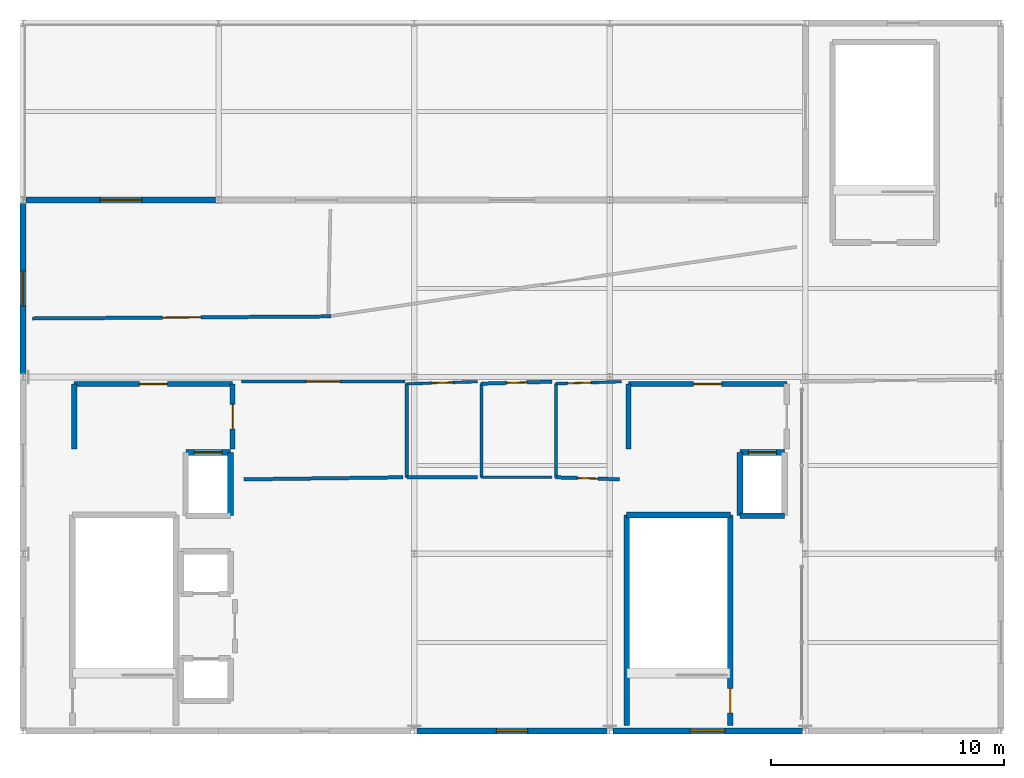
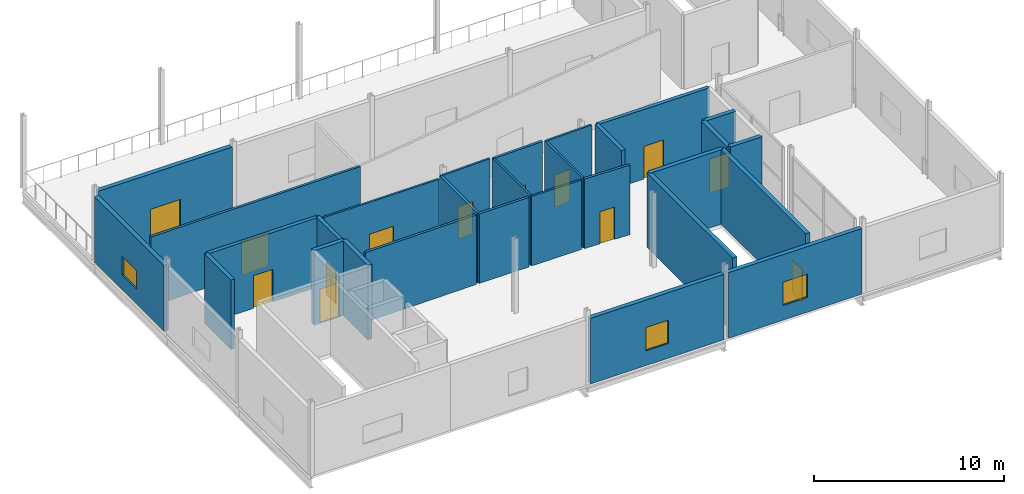
# One storey, part 6 of 8: 29 walls, 13 doors, 3 windows, 16 openings.
"""IFC4 building model written with IfcOpenShell, lengths in metres."""

from ifc_helpers import new_model, si_unit, direction, frame, frame_2d, origin, place, context, subcontext, project, spatial, rectangle, extrude, material, layer, layer_set, type_object, element, fill, save


model = new_model("IFC4")

# Units and contexts
model_context = context("Model", 3, precision=1e-05, world=origin(), true_north=direction((0.0, 1.0)))
body_context = subcontext(model_context, "Body", "Model", "MODEL_VIEW")
ifc_project = project(units=[si_unit("LENGTHUNIT", "METRE"), si_unit("AREAUNIT", "SQUARE_METRE"), si_unit("VOLUMEUNIT", "CUBIC_METRE"), si_unit("PLANEANGLEUNIT", "RADIAN"), si_unit("MASSUNIT", "GRAM", prefix="KILO")], contexts=[model_context])

# Site, building, storey
site_placement = place(None, origin())
site = spatial("IfcSite", under=ifc_project, at=site_placement, CompositionType="ELEMENT")
building_placement = place(site_placement, origin())
building = spatial("IfcBuilding", under=site, at=building_placement, Name="Zuvorla Pavilion Media Centre", CompositionType="ELEMENT")
storey_placement = place(building_placement, frame((0.0, 0.0, 26.39990234375)))
storey = spatial("IfcBuildingStorey", under=building, at=storey_placement, Name="L06", CompositionType="ELEMENT", Elevation=26.39990234375)

# Wall, opening, door
ifc_material_1 = material(Name="Acoustic masonry blockwork C32/40", Category="masonry")
ifc_layer_1 = layer(ifc_material_1, 0.219970703125)
ifc_layer_set_1 = layer_set([ifc_layer_1], Name="Acoustic masonry blockwork C32/40")
wall_type_1 = type_object("IfcWallType", Name="WL-CMP-220", PredefinedType="SOLIDWALL", material=ifc_layer_set_1)
wall_1_placement = place(storey_placement, frame((69.0, 20.89990234375, 0.0), z_axis=(0.0, 0.0, 1.0), x_axis=(1.0, 0.0, 0.0)))
wall_1 = element("IfcWall", 1, at=wall_1_placement, inside=storey, type_object=wall_type_1, Name="L06 solid wall IW22 57", PredefinedType="SOLIDWALL", context=body_context, shape_type="SweptSolid", body=[
    extrude(rectangle(XDim=6.800048828125, YDim=0.219970703125, at=frame_2d((3.39990234375, 0.0))), origin(), (0.0, 0.0, 1.0), 4.47998046875),
])
opening_1_placement = place(wall_1_placement, frame((2.800048828125, 0.0, 0.0)))
opening_1 = element("IfcOpeningElement", 2, at=opening_1_placement, cuts=wall_1, Name="Opening FD06", PredefinedType="OPENING", context=body_context, shape_type="SweptSolid", body=[
    extrude(rectangle(XDim=1.199951171875, YDim=2.10009765625, at=frame_2d((0.60009765625, 1.050048828125))), frame((0.0, 0.119873046875, 0.0), z_axis=(0.0, -1.0, 0.0), x_axis=(1.0, 0.0, 0.0)), (0.0, 0.0, 1.0), 0.239990234375),
])
ifc_material_2 = material(Name="Acoustic timber fire door leaf in steel frame", Category="steel")
door_type_1 = type_object("IfcDoorType", Name="DR-INT-FD06", OperationType="NOTDEFINED", PredefinedType="DOOR", material=ifc_material_2)
door_1_placement = place(opening_1_placement, origin())
door_1 = element("IfcDoor", 3, at=door_1_placement, inside=storey, type_object=door_type_1, Name="Firefighting lobby 1 door FD06 30", OperationType="SINGLE_SWING_LEFT", OverallHeight=2.10009765625, OverallWidth=1.199951171875, PredefinedType="DOOR", context=body_context, shape_type="SweptSolid", body=[
    extrude(rectangle(XDim=1.199951171875, YDim=2.10009765625, at=frame_2d((0.60009765625, 1.050048828125))), frame((0.0, 0.02490234375, 0.0), z_axis=(0.0, -1.0, 0.0), x_axis=(1.0, 0.0, 0.0)), (0.0, 0.0, 1.0), 0.050048828125),
])
fill(opening_1, door_1)

# Wall
wall_2_placement = place(storey_placement, frame((69.0, 18.10009765625, 0.0), z_axis=(0.0, 0.0, 1.0), x_axis=(0.0, 1.0, 0.0)))
element("IfcWall", 4, at=wall_2_placement, inside=storey, type_object=wall_type_1, Name="L06 solid wall IW22 58", PredefinedType="SOLIDWALL", context=body_context, shape_type="SweptSolid", body=[
    extrude(rectangle(XDim=2.7998046875, YDim=0.219970703125, at=frame_2d((1.39990234375, 0.0))), origin(), (0.0, 0.0, 1.0), 4.47998046875),
])

# Wall, opening, door
wall_3_placement = place(storey_placement, frame((75.800048828125, 18.10009765625, 0.0), z_axis=(0.0, 0.0, 1.0), x_axis=(0.0, 1.0, 0.0)))
wall_3 = element("IfcWall", 5, at=wall_3_placement, inside=storey, type_object=wall_type_1, Name="L06 solid wall IW22 59", PredefinedType="SOLIDWALL", context=body_context, shape_type="SweptSolid", body=[
    extrude(rectangle(XDim=2.7998046875, YDim=0.219970703125, at=frame_2d((1.39990234375, 0.0))), origin(), (0.0, 0.0, 1.0), 4.47998046875),
])
opening_2_placement = place(wall_3_placement, frame((0.875, 0.0, 0.0)))
opening_2 = element("IfcOpeningElement", 6, at=opening_2_placement, cuts=wall_3, Name="Opening FD04", PredefinedType="OPENING", context=body_context, shape_type="SweptSolid", body=[
    extrude(rectangle(XDim=1.050048828125, YDim=2.10009765625, at=frame_2d((0.52490234375, 1.050048828125))), frame((0.0, 0.119873046875, 0.0), z_axis=(0.0, -1.0, 0.0), x_axis=(1.0, 0.0, 0.0)), (0.0, 0.0, 1.0), 0.239990234375),
])
door_type_2 = type_object("IfcDoorType", Name="DR-INT-FD04", OperationType="NOTDEFINED", PredefinedType="DOOR", material=ifc_material_2)
door_2_placement = place(opening_2_placement, origin())
door_2 = element("IfcDoor", 7, at=door_2_placement, inside=storey, type_object=door_type_2, Name="Firefighting lobby 1 access door FD04 31", OperationType="SINGLE_SWING_LEFT", OverallHeight=2.10009765625, OverallWidth=1.050048828125, PredefinedType="DOOR", context=body_context, shape_type="SweptSolid", body=[
    extrude(rectangle(XDim=1.050048828125, YDim=2.10009765625, at=frame_2d((0.52490234375, 1.050048828125))), frame((0.0, 0.02490234375, 0.0), z_axis=(0.0, -1.0, 0.0), x_axis=(1.0, 0.0, 0.0)), (0.0, 0.0, 1.0), 0.050048828125),
])
fill(opening_2, door_2)

wall_4_placement = place(storey_placement, frame((92.800048828125, 20.89990234375, 0.0), z_axis=(0.0, 0.0, 1.0), x_axis=(1.0, 0.0, 0.0)))
wall_4 = element("IfcWall", 8, at=wall_4_placement, inside=storey, type_object=wall_type_1, Name="L06 solid wall IW22 202", PredefinedType="SOLIDWALL", context=body_context, shape_type="SweptSolid", body=[
    extrude(rectangle(XDim=6.800048828125, YDim=0.219970703125, at=frame_2d((3.39990234375, 0.0))), origin(), (0.0, 0.0, 1.0), 4.47998046875),
])
opening_3_placement = place(wall_4_placement, frame((2.800048828125, 0.0, 0.0)))
opening_3 = element("IfcOpeningElement", 9, at=opening_3_placement, cuts=wall_4, Name="Opening FD06", PredefinedType="OPENING", context=body_context, shape_type="SweptSolid", body=[
    extrude(rectangle(XDim=1.199951171875, YDim=2.10009765625, at=frame_2d((0.60009765625, 1.050048828125))), frame((0.0, 0.119873046875, 0.0), z_axis=(0.0, -1.0, 0.0), x_axis=(1.0, 0.0, 0.0)), (0.0, 0.0, 1.0), 0.239990234375),
])
door_3_placement = place(opening_3_placement, origin())
door_3 = element("IfcDoor", 10, at=door_3_placement, inside=storey, type_object=door_type_1, Name="Firefighting lobby 2 door FD06 79", OperationType="SINGLE_SWING_LEFT", OverallHeight=2.10009765625, OverallWidth=1.199951171875, PredefinedType="DOOR", context=body_context, shape_type="SweptSolid", body=[
    extrude(rectangle(XDim=1.199951171875, YDim=2.10009765625, at=frame_2d((0.60009765625, 1.050048828125))), frame((0.0, 0.02490234375, 0.0), z_axis=(0.0, -1.0, 0.0), x_axis=(1.0, 0.0, 0.0)), (0.0, 0.0, 1.0), 0.050048828125),
])
fill(opening_3, door_3)

# Wall
wall_5_placement = place(storey_placement, frame((92.800048828125, 18.10009765625, 0.0), z_axis=(0.0, 0.0, 1.0), x_axis=(0.0, 1.0, 0.0)))
element("IfcWall", 11, at=wall_5_placement, inside=storey, type_object=wall_type_1, Name="L06 solid wall IW22 203", PredefinedType="SOLIDWALL", context=body_context, shape_type="SweptSolid", body=[
    extrude(rectangle(XDim=2.7998046875, YDim=0.219970703125, at=frame_2d((1.39990234375, 0.0))), origin(), (0.0, 0.0, 1.0), 4.47998046875),
])

# Wall, opening, door
ifc_material_3 = material(Name="Concrete C40/50", Category="concrete")
ifc_layer_2 = layer(ifc_material_3, 0.25)
ifc_layer_set_2 = layer_set([ifc_layer_2], Name="Concrete C40/50")
wall_type_2 = type_object("IfcWallType", Name="WL-COR-250", PredefinedType="SHEAR", material=ifc_layer_set_2)
wall_6_placement = place(storey_placement, frame((73.7900390625, 17.9599609375, 0.0), z_axis=(0.0, 0.0, 1.0), x_axis=(1.0, 0.0, 0.0)))
wall_6 = element("IfcWall", 12, at=wall_6_placement, inside=storey, type_object=wall_type_2, Name="L06 shear wall CW25 154", PredefinedType="SHEAR", context=body_context, shape_type="SweptSolid", body=[
    extrude(rectangle(XDim=1.919921875, YDim=0.25, at=frame_2d((0.9599609375, 0.0))), origin(), (0.0, 0.0, 1.0), 4.800048828125),
])
opening_4_placement = place(wall_6_placement, frame((0.360107421875, 0.0, 0.0)))
opening_4 = element("IfcOpeningElement", 13, at=opening_4_placement, cuts=wall_6, Name="Opening LD02", PredefinedType="OPENING", context=body_context, shape_type="SweptSolid", body=[
    extrude(rectangle(XDim=1.199951171875, YDim=2.199951171875, at=frame_2d((0.60009765625, 1.10009765625))), frame((0.0, 0.135009765625, 0.0), z_axis=(0.0, -1.0, 0.0), x_axis=(1.0, 0.0, 0.0)), (0.0, 0.0, 1.0), 0.27001953125),
])
ifc_material_4 = material(Name="Brushed stainless steel sliding lift landing door", Category="steel")
door_type_3 = type_object("IfcDoorType", Name="DR-LFT-LD02", OperationType="SLIDING_TO_LEFT", PredefinedType="DOOR", material=ifc_material_4)
door_4_placement = place(opening_4_placement, origin())
door_4 = element("IfcDoor", 14, at=door_4_placement, inside=storey, type_object=door_type_3, Name="Lift LF-03 landing door LD02 56", OperationType="SLIDING_TO_LEFT", OverallHeight=2.199951171875, OverallWidth=1.199951171875, PredefinedType="DOOR", context=body_context, shape_type="SweptSolid", body=[
    extrude(rectangle(XDim=1.199951171875, YDim=2.199951171875, at=frame_2d((0.60009765625, 1.10009765625))), frame((0.0, 0.02490234375, 0.0), z_axis=(0.0, -1.0, 0.0), x_axis=(1.0, 0.0, 0.0)), (0.0, 0.0, 1.0), 0.050048828125),
])
fill(opening_4, door_4)

# Walls
wall_7_placement = place(storey_placement, frame((75.7099609375, 15.239990234375, 0.0), z_axis=(0.0, 0.0, 1.0), x_axis=(0.0, 1.0, 0.0)))
element("IfcWall", 15, at=wall_7_placement, inside=storey, type_object=wall_type_2, Name="L06 shear wall CW25 156", PredefinedType="SHEAR", context=body_context, shape_type="SweptSolid", body=[
    extrude(rectangle(XDim=2.719970703125, YDim=0.25, at=frame_2d((1.35986328125, 0.0))), origin(), (0.0, 0.0, 1.0), 4.800048828125),
])
wall_8_placement = place(storey_placement, frame((92.72509765625, 6.22509765625, 0.0), z_axis=(0.0, 0.0, 1.0), x_axis=(0.0, 1.0, 0.0)))
element("IfcWall", 16, at=wall_8_placement, inside=storey, type_object=wall_type_2, Name="L06 shear wall CW25 199", PredefinedType="SHEAR", context=body_context, shape_type="SweptSolid", body=[
    extrude(rectangle(XDim=9.0498046875, YDim=0.25, at=frame_2d((4.52490234375, 0.0))), origin(), (0.0, 0.0, 1.0), 4.800048828125),
])

# Wall, opening, door
wall_9_placement = place(storey_placement, frame((97.175048828125, 6.22509765625, 0.0), z_axis=(0.0, 0.0, 1.0), x_axis=(0.0, 1.0, 0.0)))
wall_9 = element("IfcWall", 17, at=wall_9_placement, inside=storey, type_object=wall_type_2, Name="L06 shear wall CW25 200", PredefinedType="SHEAR", context=body_context, shape_type="SweptSolid", body=[
    extrude(rectangle(XDim=9.0498046875, YDim=0.25, at=frame_2d((4.52490234375, 0.0))), origin(), (0.0, 0.0, 1.0), 4.800048828125),
])
opening_5_placement = place(wall_9_placement, frame((0.550048828125, 0.0, 0.0)))
opening_5 = element("IfcOpeningElement", 18, at=opening_5_placement, cuts=wall_9, Name="Opening FD04", PredefinedType="OPENING", context=body_context, shape_type="SweptSolid", body=[
    extrude(rectangle(XDim=1.050048828125, YDim=2.10009765625, at=frame_2d((0.52490234375, 1.050048828125))), frame((0.0, 0.135009765625, 0.0), z_axis=(0.0, -1.0, 0.0), x_axis=(1.0, 0.0, 0.0)), (0.0, 0.0, 1.0), 0.27001953125),
])
door_5_placement = place(opening_5_placement, frame((1.050048828125, 0.0, 0.0), z_axis=(0.0, 0.0, 1.0), x_axis=(-1.0, 0.0, 0.0)))
door_5 = element("IfcDoor", 19, at=door_5_placement, inside=storey, type_object=door_type_2, Name="Stair ST-02 fire door FD04 78", OperationType="SINGLE_SWING_LEFT", OverallHeight=2.10009765625, OverallWidth=1.050048828125, PredefinedType="DOOR", context=body_context, shape_type="SweptSolid", body=[
    extrude(rectangle(XDim=1.050048828125, YDim=2.10009765625, at=frame_2d((0.52490234375, 1.050048828125))), frame((0.0, 0.02490234375, 0.0), z_axis=(0.0, -1.0, 0.0), x_axis=(1.0, 0.0, 0.0)), (0.0, 0.0, 1.0), 0.050048828125),
])
fill(opening_5, door_5)

# Walls
wall_10_placement = place(storey_placement, frame((92.72509765625, 15.27490234375, 0.0), z_axis=(0.0, 0.0, 1.0), x_axis=(1.0, 0.0, 0.0)))
element("IfcWall", 20, at=wall_10_placement, inside=storey, type_object=wall_type_2, Name="L06 shear wall CW25 201", PredefinedType="SHEAR", context=body_context, shape_type="SweptSolid", body=[
    extrude(rectangle(XDim=4.449951171875, YDim=0.25, at=frame_2d((2.22509765625, 0.0))), origin(), (0.0, 0.0, 1.0), 4.800048828125),
])
wall_11_placement = place(storey_placement, frame((97.590087890625, 15.239990234375, 0.0), z_axis=(0.0, 0.0, 1.0), x_axis=(1.0, 0.0, 0.0)))
element("IfcWall", 21, at=wall_11_placement, inside=storey, type_object=wall_type_2, Name="L06 shear wall CW25 233", PredefinedType="SHEAR", context=body_context, shape_type="SweptSolid", body=[
    extrude(rectangle(XDim=1.919921875, YDim=0.25, at=frame_2d((0.9599609375, 0.0))), origin(), (0.0, 0.0, 1.0), 4.800048828125),
])

# Wall, opening, door
wall_12_placement = place(storey_placement, frame((97.590087890625, 17.9599609375, 0.0), z_axis=(0.0, 0.0, 1.0), x_axis=(1.0, 0.0, 0.0)))
wall_12 = element("IfcWall", 22, at=wall_12_placement, inside=storey, type_object=wall_type_2, Name="L06 shear wall CW25 234", PredefinedType="SHEAR", context=body_context, shape_type="SweptSolid", body=[
    extrude(rectangle(XDim=1.919921875, YDim=0.25, at=frame_2d((0.9599609375, 0.0))), origin(), (0.0, 0.0, 1.0), 4.800048828125),
])
opening_6_placement = place(wall_12_placement, frame((0.360107421875, 0.0, 0.0)))
opening_6 = element("IfcOpeningElement", 23, at=opening_6_placement, cuts=wall_12, Name="Opening LD02", PredefinedType="OPENING", context=body_context, shape_type="SweptSolid", body=[
    extrude(rectangle(XDim=1.199951171875, YDim=2.199951171875, at=frame_2d((0.60009765625, 1.10009765625))), frame((0.0, 0.135009765625, 0.0), z_axis=(0.0, -1.0, 0.0), x_axis=(1.0, 0.0, 0.0)), (0.0, 0.0, 1.0), 0.27001953125),
])
door_6_placement = place(opening_6_placement, origin())
door_6 = element("IfcDoor", 24, at=door_6_placement, inside=storey, type_object=door_type_3, Name="Lift LF-04 landing door LD02 88", OperationType="SLIDING_TO_LEFT", OverallHeight=2.199951171875, OverallWidth=1.199951171875, PredefinedType="DOOR", context=body_context, shape_type="SweptSolid", body=[
    extrude(rectangle(XDim=1.199951171875, YDim=2.199951171875, at=frame_2d((0.60009765625, 1.10009765625))), frame((0.0, 0.02490234375, 0.0), z_axis=(0.0, -1.0, 0.0), x_axis=(1.0, 0.0, 0.0)), (0.0, 0.0, 1.0), 0.050048828125),
])
fill(opening_6, door_6)

# Wall
wall_13_placement = place(storey_placement, frame((97.590087890625, 15.239990234375, 0.0), z_axis=(0.0, 0.0, 1.0), x_axis=(0.0, 1.0, 0.0)))
element("IfcWall", 25, at=wall_13_placement, inside=storey, type_object=wall_type_2, Name="L06 shear wall CW25 235", PredefinedType="SHEAR", context=body_context, shape_type="SweptSolid", body=[
    extrude(rectangle(XDim=2.719970703125, YDim=0.25, at=frame_2d((1.35986328125, 0.0))), origin(), (0.0, 0.0, 1.0), 4.800048828125),
])

# Wall, opening, window
ifc_material_5 = material(Name="White rendered concrete C32/40", Category="concrete")
ifc_layer_3 = layer(ifc_material_5, 0.260009765625)
ifc_layer_set_3 = layer_set([ifc_layer_3], Name="White rendered concrete C32/40")
wall_type_3 = type_object("IfcWallType", Name="WL-EXT-260", PredefinedType="SOLIDWALL", material=ifc_layer_set_3)
wall_14_placement = place(storey_placement, frame((66.800048828125, 28.669921875, 0.0), z_axis=(0.0, 0.0, 1.0), x_axis=(0.0, -1.0, 0.0)))
wall_14 = element("IfcWall", 26, at=wall_14_placement, inside=storey, type_object=wall_type_3, Name="L06 exterior solid wall EW04 317", PredefinedType="SOLIDWALL", context=body_context, shape_type="SweptSolid", body=[
    extrude(rectangle(XDim=7.33984375, YDim=0.260009765625, at=frame_2d((3.669921875, 0.0))), origin(), (0.0, 0.0, 1.0), 4.226806640625),
])
opening_7_placement = place(wall_14_placement, frame((2.919921875, 0.0, 0.949951171875)))
opening_7 = element("IfcOpeningElement", 27, at=opening_7_placement, cuts=wall_14, Name="Opening WN25", PredefinedType="OPENING", context=body_context, shape_type="SweptSolid", body=[
    extrude(rectangle(XDim=1.5, YDim=1.199951171875, at=frame_2d((0.75, 0.60009765625))), frame((0.0, 0.139892578125, 0.0), z_axis=(0.0, -1.0, 0.0), x_axis=(1.0, 0.0, 0.0)), (0.0, 0.0, 1.0), 0.280029296875),
])
ifc_material_6 = material(Name="Anodised aluminium frame with solar double glazing", Category="aluminium")
window_type_1 = type_object("IfcWindowType", Name="WIN-WN25", PartitioningType="SINGLE_PANEL", PredefinedType="WINDOW", material=ifc_material_6)
window_1_placement = place(opening_7_placement, origin())
window_1 = element("IfcWindow", 28, at=window_1_placement, inside=storey, type_object=window_type_1, Name="L06 window WN25 137", OverallHeight=1.199951171875, OverallWidth=1.5, PartitioningType="SINGLE_PANEL", PredefinedType="WINDOW", context=body_context, shape_type="SweptSolid", body=[
    extrude(rectangle(XDim=1.5, YDim=1.199951171875, at=frame_2d((0.75, 0.60009765625))), frame((0.0, 0.030029296875, 0.0), z_axis=(0.0, -1.0, 0.0), x_axis=(1.0, 0.0, 0.0)), (0.0, 0.0, 1.0), 0.06005859375),
])
fill(opening_7, window_1)

wall_15_placement = place(storey_placement, frame((83.72802734375, 6.0, 0.0), z_axis=(0.0, 0.0, 1.0), x_axis=(1.0, 0.0, 0.0)))
wall_15 = element("IfcWall", 29, at=wall_15_placement, inside=storey, type_object=wall_type_3, Name="L06 exterior solid wall EW04 322", PredefinedType="SOLIDWALL", context=body_context, shape_type="SweptSolid", body=[
    extrude(rectangle(XDim=8.143798828125, YDim=0.260009765625, at=frame_2d((4.07177734375, 0.0))), origin(), (0.0, 0.0, 1.0), 4.226806640625),
])
opening_8_placement = place(wall_15_placement, frame((3.396728515625, 0.0, 0.949951171875)))
opening_8 = element("IfcOpeningElement", 30, at=opening_8_placement, cuts=wall_15, Name="Opening WN02", PredefinedType="OPENING", context=body_context, shape_type="SweptSolid", body=[
    extrude(rectangle(XDim=1.35009765625, YDim=1.5, at=frame_2d((0.675048828125, 0.75))), frame((0.0, 0.139892578125, 0.0), z_axis=(0.0, -1.0, 0.0), x_axis=(1.0, 0.0, 0.0)), (0.0, 0.0, 1.0), 0.280029296875),
])
window_type_2 = type_object("IfcWindowType", Name="WIN-WN02", PartitioningType="SINGLE_PANEL", PredefinedType="WINDOW", material=ifc_material_6)
window_2_placement = place(opening_8_placement, origin())
window_2 = element("IfcWindow", 31, at=window_2_placement, inside=storey, type_object=window_type_2, Name="L06 window WN02 142", OverallHeight=1.5, OverallWidth=1.35009765625, PartitioningType="SINGLE_PANEL", PredefinedType="WINDOW", context=body_context, shape_type="SweptSolid", body=[
    extrude(rectangle(XDim=1.35009765625, YDim=1.5, at=frame_2d((0.675048828125, 0.75))), frame((0.0, 0.030029296875, 0.0), z_axis=(0.0, -1.0, 0.0), x_axis=(1.0, 0.0, 0.0)), (0.0, 0.0, 1.0), 0.06005859375),
])
fill(opening_8, window_2)

wall_16_placement = place(storey_placement, frame((92.128173828125, 6.0, 0.0), z_axis=(0.0, 0.0, 1.0), x_axis=(1.0, 0.0, 0.0)))
wall_16 = element("IfcWall", 32, at=wall_16_placement, inside=storey, type_object=wall_type_3, Name="L06 exterior solid wall EW04 323", PredefinedType="SOLIDWALL", context=body_context, shape_type="SweptSolid", body=[
    extrude(rectangle(XDim=8.143798828125, YDim=0.260009765625, at=frame_2d((4.07177734375, 0.0))), origin(), (0.0, 0.0, 1.0), 4.226806640625),
])
opening_9_placement = place(wall_16_placement, frame((3.32177734375, 0.0, 0.949951171875)))
opening_9 = element("IfcOpeningElement", 33, at=opening_9_placement, cuts=wall_16, Name="Opening WN03", PredefinedType="OPENING", context=body_context, shape_type="SweptSolid", body=[
    extrude(rectangle(XDim=1.5, YDim=1.5, at=frame_2d((0.75, 0.75))), frame((0.0, 0.139892578125, 0.0), z_axis=(0.0, -1.0, 0.0), x_axis=(1.0, 0.0, 0.0)), (0.0, 0.0, 1.0), 0.280029296875),
])
window_type_3 = type_object("IfcWindowType", Name="WIN-WN03", PartitioningType="SINGLE_PANEL", PredefinedType="WINDOW", material=ifc_material_6)
window_3_placement = place(opening_9_placement, origin())
window_3 = element("IfcWindow", 34, at=window_3_placement, inside=storey, type_object=window_type_3, Name="L06 window WN03 143", OverallHeight=1.5, OverallWidth=1.5, PartitioningType="SINGLE_PANEL", PredefinedType="WINDOW", context=body_context, shape_type="SweptSolid", body=[
    extrude(rectangle(XDim=1.5, YDim=1.5, at=frame_2d((0.75, 0.75))), frame((0.0, 0.030029296875, 0.0), z_axis=(0.0, -1.0, 0.0), x_axis=(1.0, 0.0, 0.0)), (0.0, 0.0, 1.0), 0.06005859375),
])
fill(opening_9, window_3)

# Wall, opening, door
wall_17_placement = place(storey_placement, frame((75.07177734375, 28.800048828125, 0.0), z_axis=(0.0, 0.0, 1.0), x_axis=(-1.0, 0.0, 0.0)))
wall_17 = element("IfcWall", 35, at=wall_17_placement, inside=storey, type_object=wall_type_3, Name="L06 exterior solid wall EW04 334", PredefinedType="SOLIDWALL", context=body_context, shape_type="SweptSolid", body=[
    extrude(rectangle(XDim=8.1435546875, YDim=0.260009765625, at=frame_2d((4.07177734375, 0.0))), origin(), (0.0, 0.0, 1.0), 4.47998046875),
])
opening_10_placement = place(wall_17_placement, frame((3.171875, 0.0, 0.0)))
opening_10 = element("IfcOpeningElement", 36, at=opening_10_placement, cuts=wall_17, Name="Opening ED04", PredefinedType="OPENING", context=body_context, shape_type="SweptSolid", body=[
    extrude(rectangle(XDim=1.800048828125, YDim=2.199951171875, at=frame_2d((0.89990234375, 1.10009765625))), frame((0.0, 0.139892578125, 0.0), z_axis=(0.0, -1.0, 0.0), x_axis=(1.0, 0.0, 0.0)), (0.0, 0.0, 1.0), 0.280029296875),
])
ifc_material_7 = material(Name="Anodised aluminium terrace double door", Category="aluminium")
door_type_4 = type_object("IfcDoorType", Name="DR-EXT-180x220", OperationType="NOTDEFINED", PredefinedType="DOOR", material=ifc_material_7)
door_7_placement = place(opening_10_placement, frame((1.800048828125, 0.0, 0.0), z_axis=(0.0, 0.0, 1.0), x_axis=(-1.0, 0.0, 0.0)))
door_7 = element("IfcDoor", 37, at=door_7_placement, inside=storey, type_object=door_type_4, Name="Terrace Entrance Door DR-EXT-L06-026", OperationType="DOUBLE_DOOR_SINGLE_SWING", OverallHeight=2.199951171875, OverallWidth=1.800048828125, PredefinedType="DOOR", context=body_context, shape_type="SweptSolid", body=[
    extrude(rectangle(XDim=1.800048828125, YDim=2.199951171875, at=frame_2d((0.89990234375, 1.10009765625))), frame((0.0, 0.02490234375, 0.0), z_axis=(0.0, -1.0, 0.0), x_axis=(1.0, 0.0, 0.0)), (0.0, 0.0, 1.0), 0.050048828125),
])
fill(opening_10, door_7)

ifc_material_8 = material(Name="Lightweight gypsum partition")
ifc_layer_4 = layer(ifc_material_8, 0.1201171875)
ifc_layer_set_4 = layer_set([ifc_layer_4], Name="Lightweight gypsum partition")
wall_type_4 = type_object("IfcWallType", Name="WL-PRT-120", PredefinedType="PARTITIONING", material=ifc_layer_set_4)
wall_18_placement = place(storey_placement, frame((89.679931640625, 20.9111328125, 0.0), z_axis=(0.0, 0.0, 1.0), x_axis=(0.999534031939, 0.030524072404, 0.0)))
wall_18 = element("IfcWall", 38, at=wall_18_placement, inside=storey, type_object=wall_type_4, Name="L06 partition PT12 568", PredefinedType="PARTITIONING", context=body_context, shape_type="SweptSolid", body=[
    extrude(rectangle(XDim=2.831298828125, YDim=0.1201171875, at=frame_2d((1.41552734375, 0.0))), origin(), (0.0, 0.0, 1.0), 4.47998046875),
])
opening_11_placement = place(wall_18_placement, frame((0.525634765625, 0.0, 0.0)))
opening_11 = element("IfcOpeningElement", 39, at=opening_11_placement, cuts=wall_18, Name="Opening ID03", PredefinedType="OPENING", context=body_context, shape_type="SweptSolid", body=[
    extrude(rectangle(XDim=0.97998046875, YDim=2.080078125, at=frame_2d((0.489990234375, 1.0400390625))), frame((0.0, 0.070068359375, 0.0), z_axis=(0.0, -1.0, 0.0), x_axis=(1.0, 0.0, 0.0)), (0.0, 0.0, 1.0), 0.14013671875),
])
ifc_material_9 = material(Name="Hardwood acoustic studio door in anodised frame", Category="wood")
door_type_5 = type_object("IfcDoorType", Name="DR-UNR-ID03", OperationType="NOTDEFINED", PredefinedType="DOOR", material=ifc_material_9)
door_8_placement = place(opening_11_placement, origin())
door_8 = element("IfcDoor", 40, at=door_8_placement, inside=storey, type_object=door_type_5, Name="Interior door ID03 254", OperationType="SINGLE_SWING_LEFT", OverallHeight=2.080078125, OverallWidth=0.97998046875, PredefinedType="DOOR", context=body_context, shape_type="SweptSolid", body=[
    extrude(rectangle(XDim=0.97998046875, YDim=2.080078125, at=frame_2d((0.489990234375, 1.0400390625))), frame((0.0, 0.02490234375, 0.0), z_axis=(0.0, -1.0, 0.0), x_axis=(1.0, 0.0, 0.0)), (0.0, 0.0, 1.0), 0.050048828125),
])
fill(opening_11, door_8)

wall_19_placement = place(storey_placement, frame((83.280029296875, 20.903076171875, 0.0), z_axis=(0.0, 0.0, 1.0), x_axis=(0.999514195179, 0.03116686758, 0.0)))
wall_19 = element("IfcWall", 41, at=wall_19_placement, inside=storey, type_object=wall_type_4, Name="L06 partition PT12 570", PredefinedType="PARTITIONING", context=body_context, shape_type="SweptSolid", body=[
    extrude(rectangle(XDim=3.031494140625, YDim=0.1201171875, at=frame_2d((1.515625, 0.0))), origin(), (0.0, 0.0, 1.0), 4.47998046875),
])
opening_12_placement = place(wall_19_placement, frame((1.0556640625, 0.0, 0.0)))
opening_12 = element("IfcOpeningElement", 42, at=opening_12_placement, cuts=wall_19, Name="Opening ID02", PredefinedType="OPENING", context=body_context, shape_type="SweptSolid", body=[
    extrude(rectangle(XDim=0.919921875, YDim=2.080078125, at=frame_2d((0.4599609375, 1.0400390625))), frame((0.0, 0.070068359375, 0.0), z_axis=(0.0, -1.0, 0.0), x_axis=(1.0, 0.0, 0.0)), (0.0, 0.0, 1.0), 0.14013671875),
])
door_type_6 = type_object("IfcDoorType", Name="DR-UNR-ID02", OperationType="NOTDEFINED", PredefinedType="DOOR", material=ifc_material_9)
door_9_placement = place(opening_12_placement, origin())
door_9 = element("IfcDoor", 43, at=door_9_placement, inside=storey, type_object=door_type_6, Name="Interior door ID02 256", OperationType="SINGLE_SWING_LEFT", OverallHeight=2.080078125, OverallWidth=0.919921875, PredefinedType="DOOR", context=body_context, shape_type="SweptSolid", body=[
    extrude(rectangle(XDim=0.919921875, YDim=2.080078125, at=frame_2d((0.4599609375, 1.0400390625))), frame((0.0, 0.02490234375, 0.0), z_axis=(0.0, -1.0, 0.0), x_axis=(1.0, 0.0, 0.0)), (0.0, 0.0, 1.0), 0.050048828125),
])
fill(opening_12, door_9)

wall_20_placement = place(storey_placement, frame((83.2080078125, 21.010009765625, 0.0), z_axis=(0.0, 0.0, 1.0), x_axis=(-0.999998985611, -0.001424351517, 0.0)))
wall_20 = element("IfcWall", 44, at=wall_20_placement, inside=storey, type_object=wall_type_4, Name="L06 partition PT12 571", PredefinedType="PARTITIONING", context=body_context, shape_type="SweptSolid", body=[
    extrude(rectangle(XDim=7.027587890625, YDim=0.1201171875, at=frame_2d((3.513671875, 0.0))), origin(), (0.0, 0.0, 1.0), 4.226806640625),
])
opening_13_placement = place(wall_20_placement, frame((2.788818359375, 0.0, 0.0)))
opening_13 = element("IfcOpeningElement", 45, at=opening_13_placement, cuts=wall_20, Name="Opening ID09", PredefinedType="OPENING", context=body_context, shape_type="SweptSolid", body=[
    extrude(rectangle(XDim=1.449951171875, YDim=2.179931640625, at=frame_2d((0.72509765625, 1.08984375))), frame((0.0, 0.070068359375, 0.0), z_axis=(0.0, -1.0, 0.0), x_axis=(1.0, 0.0, 0.0)), (0.0, 0.0, 1.0), 0.14013671875),
])
door_type_7 = type_object("IfcDoorType", Name="DR-UNR-ID09", OperationType="NOTDEFINED", PredefinedType="DOOR", material=ifc_material_9)
door_10_placement = place(opening_13_placement, origin())
door_10 = element("IfcDoor", 46, at=door_10_placement, inside=storey, type_object=door_type_7, Name="Interior door ID09 257", OperationType="DOUBLE_DOOR_SINGLE_SWING", OverallHeight=2.179931640625, OverallWidth=1.449951171875, PredefinedType="DOOR", context=body_context, shape_type="SweptSolid", body=[
    extrude(rectangle(XDim=1.449951171875, YDim=2.179931640625, at=frame_2d((0.72509765625, 1.08984375))), frame((0.0, 0.02490234375, 0.0), z_axis=(0.0, -1.0, 0.0), x_axis=(1.0, 0.0, 0.0)), (0.0, 0.0, 1.0), 0.050048828125),
])
fill(opening_13, door_10)

# Walls
for number, where, z_axis, x_axis, name in (
    (47, (89.68994140625, 16.8798828125, 0.0), (0.0, 0.0, 1.0), (0.0, 1.0, 0.0), "L06 partition PT12 575"),
    (48, (86.489990234375, 16.8798828125, 0.0), (0.0, 0.0, 1.0), (0.0, 1.0, 0.0), "L06 partition PT12 577"),
):
    element("IfcWall", number, at=place(storey_placement, frame(where, z_axis=z_axis, x_axis=x_axis)), inside=storey, type_object=wall_type_4, Name=name, PredefinedType="PARTITIONING", context=body_context, shape_type="SweptSolid", body=[
        extrude(rectangle(XDim=4.0400390625, YDim=0.1201171875, at=frame_2d((2.02001953125, 0.0))), origin(), (0.0, 0.0, 1.0), 4.47998046875),
    ])
wall_21_placement = place(storey_placement, frame((89.510009765625, 16.891357421875, 0.0), z_axis=(0.0, 0.0, 1.0), x_axis=(-1.0, 0.0, 0.0)))
element("IfcWall", 49, at=wall_21_placement, inside=storey, type_object=wall_type_4, Name="L06 partition PT12 578", PredefinedType="PARTITIONING", context=body_context, shape_type="SweptSolid", body=[
    extrude(rectangle(XDim=3.030029296875, YDim=0.1201171875, at=frame_2d((1.51513671875, 0.0))), origin(), (0.0, 0.0, 1.0), 4.47998046875),
])

# Wall, opening, door
ifc_material_10 = material(Name="Acoustic gypsum stud partition")
ifc_layer_5 = layer(ifc_material_10, 0.14990234375)
ifc_layer_set_5 = layer_set([ifc_layer_5], Name="Acoustic gypsum stud partition")
wall_type_5 = type_object("IfcWallType", Name="WL-PRT-150", PredefinedType="PARTITIONING", material=ifc_layer_set_5)
wall_22_placement = place(storey_placement, frame((86.47998046875, 20.910888671875, 0.0), z_axis=(0.0, 0.0, 1.0), x_axis=(0.999588861117, 0.028672438527, 0.0)))
wall_22 = element("IfcWall", 50, at=wall_22_placement, inside=storey, type_object=wall_type_5, Name="L06 partition PT15 569", PredefinedType="PARTITIONING", context=body_context, shape_type="SweptSolid", body=[
    extrude(rectangle(XDim=3.03125, YDim=0.14990234375, at=frame_2d((1.515625, 0.0))), origin(), (0.0, 0.0, 1.0), 4.47998046875),
])
opening_14_placement = place(wall_22_placement, frame((1.07568359375, 0.0, 0.0)))
opening_14 = element("IfcOpeningElement", 51, at=opening_14_placement, cuts=wall_22, Name="Opening ID01", PredefinedType="OPENING", context=body_context, shape_type="SweptSolid", body=[
    extrude(rectangle(XDim=0.8798828125, YDim=2.080078125, at=frame_2d((0.43994140625, 1.0400390625))), frame((0.0, 0.0849609375, 0.0), z_axis=(0.0, -1.0, 0.0), x_axis=(1.0, 0.0, 0.0)), (0.0, 0.0, 1.0), 0.169921875),
])
door_type_8 = type_object("IfcDoorType", Name="DR-UNR-ID01", OperationType="NOTDEFINED", PredefinedType="DOOR", material=ifc_material_9)
door_11_placement = place(opening_14_placement, origin())
door_11 = element("IfcDoor", 52, at=door_11_placement, inside=storey, type_object=door_type_8, Name="Interior door ID01 255", OperationType="SINGLE_SWING_RIGHT", OverallHeight=2.080078125, OverallWidth=0.8798828125, PredefinedType="DOOR", context=body_context, shape_type="SweptSolid", body=[
    extrude(rectangle(XDim=0.8798828125, YDim=2.080078125, at=frame_2d((0.43994140625, 1.0400390625))), frame((0.0, 0.02490234375, 0.0), z_axis=(0.0, -1.0, 0.0), x_axis=(1.0, 0.0, 0.0)), (0.0, 0.0, 1.0), 0.050048828125),
])
fill(opening_14, door_11)

wall_23_placement = place(storey_placement, frame((67.199951171875, 23.7099609375, 0.0), z_axis=(0.0, 0.0, 1.0), x_axis=(0.999975708806, 0.006970064359, 0.0)))
wall_23 = element("IfcWall", 53, at=wall_23_placement, inside=storey, type_object=wall_type_5, Name="L06 partition PT15 572", PredefinedType="PARTITIONING", context=body_context, shape_type="SweptSolid", body=[
    extrude(rectangle(XDim=12.81982421875, YDim=0.14990234375, at=frame_2d((6.409912109375, 0.0))), origin(), (0.0, 0.0, 1.0), 4.47998046875),
])
opening_15_placement = place(wall_23_placement, frame((5.5849609375, 0.0, 0.0)))
opening_15 = element("IfcOpeningElement", 54, at=opening_15_placement, cuts=wall_23, Name="Opening ID10", PredefinedType="OPENING", context=body_context, shape_type="SweptSolid", body=[
    extrude(rectangle(XDim=1.64990234375, YDim=2.179931640625, at=frame_2d((0.824951171875, 1.08984375))), frame((0.0, 0.0849609375, 0.0), z_axis=(0.0, -1.0, 0.0), x_axis=(1.0, 0.0, 0.0)), (0.0, 0.0, 1.0), 0.169921875),
])
door_type_9 = type_object("IfcDoorType", Name="DR-UNR-ID10", OperationType="NOTDEFINED", PredefinedType="DOOR", material=ifc_material_9)
door_12_placement = place(opening_15_placement, origin())
door_12 = element("IfcDoor", 55, at=door_12_placement, inside=storey, type_object=door_type_9, Name="Interior door ID10 258", OperationType="DOUBLE_DOOR_SINGLE_SWING", OverallHeight=2.179931640625, OverallWidth=1.64990234375, PredefinedType="DOOR", context=body_context, shape_type="SweptSolid", body=[
    extrude(rectangle(XDim=1.64990234375, YDim=2.179931640625, at=frame_2d((0.824951171875, 1.08984375))), frame((0.0, 0.02490234375, 0.0), z_axis=(0.0, -1.0, 0.0), x_axis=(1.0, 0.0, 0.0)), (0.0, 0.0, 1.0), 0.050048828125),
])
fill(opening_15, door_12)

wall_24_placement = place(storey_placement, frame((92.41943359375, 16.802490234375, 0.0), z_axis=(0.0, 0.0, 1.0), x_axis=(-0.999502733309, 0.03153230261, 0.0)))
wall_24 = element("IfcWall", 56, at=wall_24_placement, inside=storey, type_object=wall_type_5, Name="L06 partition PT15 576", PredefinedType="PARTITIONING", context=body_context, shape_type="SweptSolid", body=[
    extrude(rectangle(XDim=2.740966796875, YDim=0.14990234375, at=frame_2d((1.37060546875, 0.0))), origin(), (0.0, 0.0, 1.0), 4.47998046875),
])
opening_16_placement = place(wall_24_placement, frame((0.930419921875, 0.0, 0.0)))
opening_16 = element("IfcOpeningElement", 57, at=opening_16_placement, cuts=wall_24, Name="Opening ID01", PredefinedType="OPENING", context=body_context, shape_type="SweptSolid", body=[
    extrude(rectangle(XDim=0.8798828125, YDim=2.080078125, at=frame_2d((0.43994140625, 1.0400390625))), frame((0.0, 0.0849609375, 0.0), z_axis=(0.0, -1.0, 0.0), x_axis=(1.0, 0.0, 0.0)), (0.0, 0.0, 1.0), 0.169921875),
])
door_13_placement = place(opening_16_placement, origin())
door_13 = element("IfcDoor", 58, at=door_13_placement, inside=storey, type_object=door_type_8, Name="Interior door ID01 261", OperationType="SINGLE_SWING_RIGHT", OverallHeight=2.080078125, OverallWidth=0.8798828125, PredefinedType="DOOR", context=body_context, shape_type="SweptSolid", body=[
    extrude(rectangle(XDim=0.8798828125, YDim=2.080078125, at=frame_2d((0.43994140625, 1.0400390625))), frame((0.0, 0.02490234375, 0.0), z_axis=(0.0, -1.0, 0.0), x_axis=(1.0, 0.0, 0.0)), (0.0, 0.0, 1.0), 0.050048828125),
])
fill(opening_16, door_13)

# Walls
wall_25_placement = place(storey_placement, frame((83.2900390625, 16.8798828125, 0.0), z_axis=(0.0, 0.0, 1.0), x_axis=(-0.000120860526, 0.999999992696, 0.0)))
element("IfcWall", 59, at=wall_25_placement, inside=storey, type_object=wall_type_5, Name="L06 partition PT15 579", PredefinedType="PARTITIONING", context=body_context, shape_type="SweptSolid", body=[
    extrude(rectangle(XDim=4.0400390625, YDim=0.14990234375, at=frame_2d((2.02001953125, 0.0))), origin(), (0.0, 0.0, 1.0), 4.47998046875),
])
wall_26_placement = place(storey_placement, frame((86.31005859375, 16.891357421875, 0.0), z_axis=(0.0, 0.0, 1.0), x_axis=(-1.0, 0.0, 0.0)))
element("IfcWall", 60, at=wall_26_placement, inside=storey, type_object=wall_type_5, Name="L06 partition PT15 580", PredefinedType="PARTITIONING", context=body_context, shape_type="SweptSolid", body=[
    extrude(rectangle(XDim=3.030029296875, YDim=0.14990234375, at=frame_2d((1.51513671875, 0.0))), origin(), (0.0, 0.0, 1.0), 4.47998046875),
])
wall_27_placement = place(storey_placement, frame((83.110107421875, 16.89013671875, 0.0), z_axis=(0.0, 0.0, 1.0), x_axis=(-0.999914900099, -0.013045787051, 0.0)))
element("IfcWall", 61, at=wall_27_placement, inside=storey, type_object=wall_type_5, Name="L06 partition PT15 581", PredefinedType="PARTITIONING", context=body_context, shape_type="SweptSolid", body=[
    extrude(rectangle(XDim=6.83056640625, YDim=0.14990234375, at=frame_2d((3.415283203125, 0.0))), origin(), (0.0, 0.0, 1.0), 4.47998046875),
])

save(model, "model.ifc")
